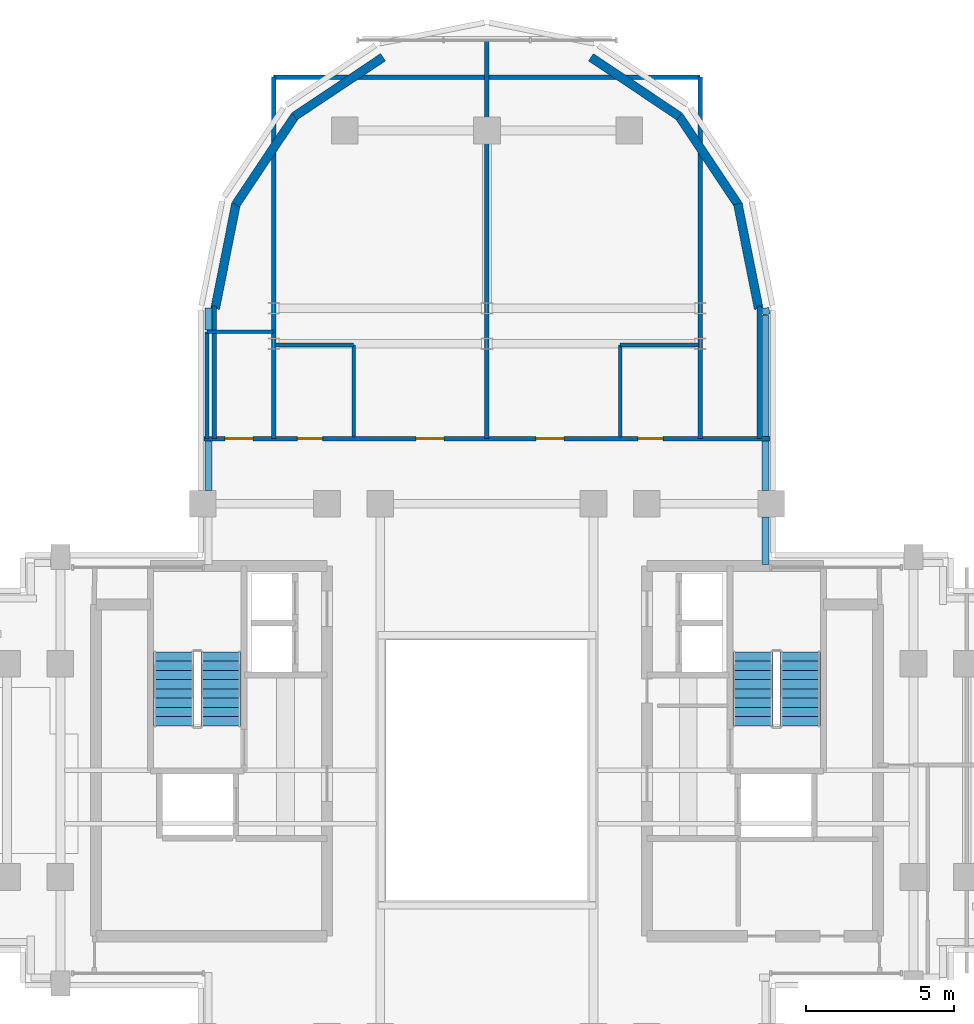
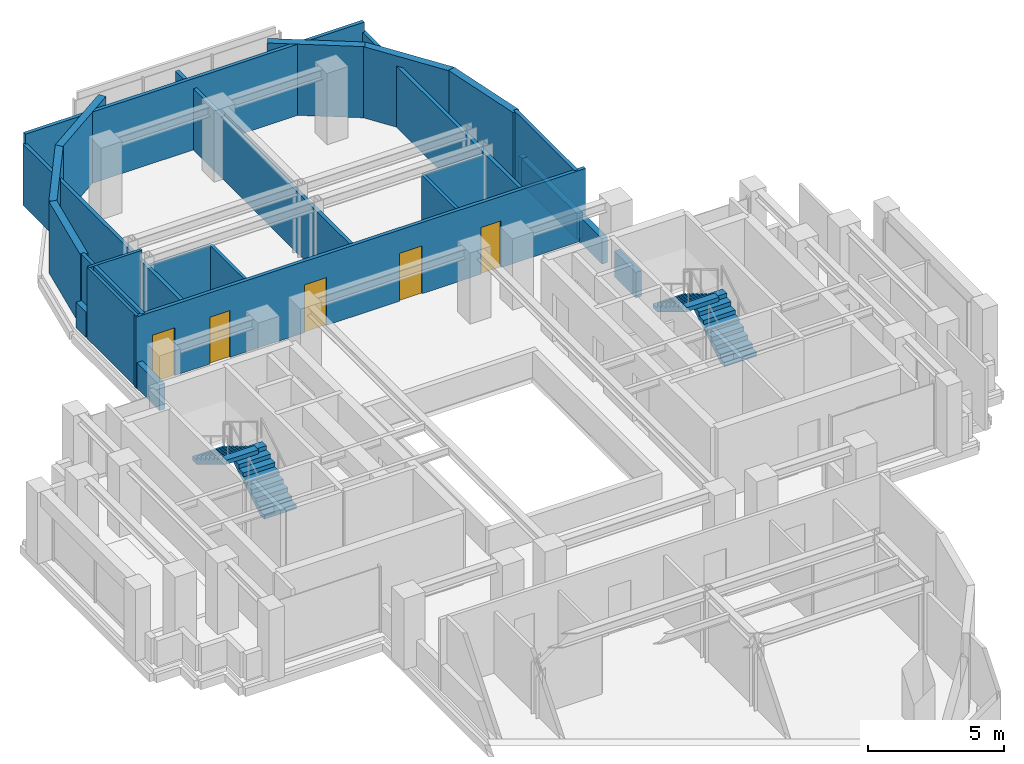
# One storey, part 8 of 11: 25 walls, 5 doors, 4 stair flights, 5 openings, 2 elements without a shape of their own.
"""IFC4 building model written with IfcOpenShell, lengths in metres."""

from ifc_helpers import new_model, si_unit, direction, frame, frame_2d, origin, place, context, subcontext, project, spatial, polyline, rectangle, outline, extrude, source, transform, mapped, material, layer, layer_set, type_object, element, fill, aggregate, save


model = new_model("IFC4")

# Units and contexts
model_context = context("Model", 3, precision=1e-05, world=origin(), true_north=direction((0.0, 1.0)))
body_context = subcontext(model_context, "Body", "Model", "MODEL_VIEW")
ifc_project = project(units=[si_unit("LENGTHUNIT", "METRE"), si_unit("AREAUNIT", "SQUARE_METRE"), si_unit("VOLUMEUNIT", "CUBIC_METRE"), si_unit("PLANEANGLEUNIT", "RADIAN"), si_unit("MASSUNIT", "GRAM", prefix="KILO")], contexts=[model_context])

# Site, building, storey
site_placement = place(None, origin())
site = spatial("IfcSite", under=ifc_project, at=site_placement, CompositionType="ELEMENT")
building_placement = place(site_placement, origin())
building = spatial("IfcBuilding", under=site, at=building_placement, Name="Keilestroom Media Tower", CompositionType="ELEMENT")
storey_placement = place(building_placement, frame((0.0, 0.0, 194.39990234375)))
storey = spatial("IfcBuildingStorey", under=building, at=storey_placement, Name="L53", CompositionType="ELEMENT", Elevation=194.39990234375)

# Walls
ifc_material_1 = material(Name="Precast concrete C40/50", Category="concrete")
ifc_layer_1 = layer(ifc_material_1, 0.300048828125)
ifc_layer_set_1 = layer_set([ifc_layer_1], Name="Precast concrete C40/50")
wall_type_1 = type_object("IfcWallType", Name="Exterior-Masonry-Spandrel-Wall-300", PredefinedType="SOLIDWALL", material=ifc_layer_set_1)
for number, where, z_axis, x_axis, name in (
    (1, (9.1748046875, 15.585205078125, 0.0), (0.0, 0.0, 1.0), (-0.195114232679, 0.980780523974, 0.0), "L53 Lobe Facet Precast Frame Wall 01"),
    (2, (8.48193359375, 19.097412109375, 0.0), (0.0, 0.0, 1.0), (-0.555574187116, 0.831466970246, 0.0), "L53 Lobe Facet Precast Frame Wall 02"),
):
    element("IfcWall", number, at=place(storey_placement, frame(where, z_axis=z_axis, x_axis=x_axis)), inside=storey, type_object=wall_type_1, Name=name, PredefinedType="SOLIDWALL", context=body_context, shape_type="SweptSolid", body=[
        extrude(rectangle(XDim=3.608642578125, YDim=0.300048828125, at=frame_2d((1.80419921875, 0.0))), origin(), (0.0, 0.0, 1.0), 3.2001953125),
    ])
for number, where, z_axis, x_axis, name in (
    (3, (6.497802734375, 22.0771484375, 0.0), (0.0, 0.0, 1.0), (-0.8314749531, 0.555562239868, 0.0), "L53 Lobe Facet Precast Frame Wall 03"),
    (4, (-3.510009765625, 24.073486328125, 0.0), (0.0, 0.0, 1.0), (-0.8314749531, -0.555562239868, 0.0), "L53 Lobe Facet Precast Frame Wall 04"),
):
    element("IfcWall", number, at=place(storey_placement, frame(where, z_axis=z_axis, x_axis=x_axis)), inside=storey, type_object=wall_type_1, Name=name, PredefinedType="SOLIDWALL", context=body_context, shape_type="SweptSolid", body=[
        extrude(rectangle(XDim=3.59326171875, YDim=0.300048828125, at=frame_2d((1.796630859375, 0.0))), origin(), (0.0, 0.0, 1.0), 3.2001953125),
    ])
for number, where, z_axis, x_axis, name in (
    (5, (-6.47705078125, 22.097900390625, 0.0), (0.0, 0.0, 1.0), (-0.555574187116, -0.831466970246, 0.0), "L53 Lobe Facet Precast Frame Wall 05"),
    (6, (-8.470703125, 19.12451171875, 0.0), (0.0, 0.0, 1.0), (-0.195114232679, -0.980780523974, 0.0), "L53 Lobe Facet Precast Frame Wall 06"),
):
    element("IfcWall", number, at=place(storey_placement, frame(where, z_axis=z_axis, x_axis=x_axis)), inside=storey, type_object=wall_type_1, Name=name, PredefinedType="SOLIDWALL", context=body_context, shape_type="SweptSolid", body=[
        extrude(rectangle(XDim=3.608642578125, YDim=0.300048828125, at=frame_2d((1.80419921875, 0.0))), origin(), (0.0, 0.0, 1.0), 3.2001953125),
    ])
ifc_material_2 = material(Name="Gypsum Plasterboard & Steel Stud", Category="steel")
ifc_layer_2 = layer(ifc_material_2, 0.1201171875)
ifc_layer_set_2 = layer_set([ifc_layer_2], Name="Gypsum Plasterboard & Steel Stud")
wall_type_2 = type_object("IfcWallType", Name="Interior-Partition-Wall-120", PredefinedType="PARTITIONING", material=ifc_layer_set_2)
wall_1_placement = place(storey_placement, frame((-9.449951171875, 14.800048828125, 0.0), z_axis=(0.0, 0.0, 1.0), x_axis=(1.0, 0.0, 0.0)))
element("IfcWall", 7, at=wall_1_placement, inside=storey, type_object=wall_type_2, Name="L53 Interior Wall WP-L53-H307-WC-N", PredefinedType="PARTITIONING", context=body_context, shape_type="SweptSolid", body=[
    extrude(rectangle(XDim=2.25, YDim=0.1201171875, at=frame_2d((1.125, 0.0))), origin(), (0.0, 0.0, 1.0), 3.2001953125),
])
wall_2_placement = place(storey_placement, frame((-9.449951171875, 11.199951171875, 0.0), z_axis=(0.0, 0.0, 1.0), x_axis=(0.0, 1.0, 0.0)))
element("IfcWall", 8, at=wall_2_placement, inside=storey, type_object=wall_type_2, Name="L53 Interior Wall WP-L53-H307-WC-W", PredefinedType="PARTITIONING", context=body_context, shape_type="SweptSolid", body=[
    extrude(rectangle(XDim=3.60009765625, YDim=0.1201171875, at=frame_2d((1.800048828125, 0.0))), origin(), (0.0, 0.0, 1.0), 3.2001953125),
])
wall_3_placement = place(storey_placement, frame((-4.5, 11.260009765625, 0.0), z_axis=(0.0, 0.0, 1.0), x_axis=(0.0, 1.0, 0.0)))
element("IfcWall", 9, at=wall_3_placement, inside=storey, type_object=wall_type_2, Name="L53 Interior Wall WP-L53-ENS307W-NWP", PredefinedType="PARTITIONING", context=body_context, shape_type="SweptSolid", body=[
    extrude(rectangle(XDim=3.10009765625, YDim=0.1201171875, at=frame_2d((1.550048828125, 0.0))), origin(), (0.0, 0.0, 1.0), 2.75),
])
wall_4_placement = place(storey_placement, frame((-7.139892578125, 14.360107421875, 0.0), z_axis=(0.0, 0.0, 1.0), x_axis=(1.0, 0.0, 0.0)))
element("IfcWall", 10, at=wall_4_placement, inside=storey, type_object=wall_type_2, Name="L53 Interior Wall WP-L53-ENS307H-NWP", PredefinedType="PARTITIONING", context=body_context, shape_type="SweptSolid", body=[
    extrude(rectangle(XDim=2.639892578125, YDim=0.1201171875, at=frame_2d((1.31982421875, 0.0))), origin(), (0.0, 0.0, 1.0), 2.75),
])
wall_5_placement = place(storey_placement, frame((4.5, 11.260009765625, 0.0), z_axis=(0.0, 0.0, 1.0), x_axis=(0.0, 1.0, 0.0)))
element("IfcWall", 11, at=wall_5_placement, inside=storey, type_object=wall_type_2, Name="L53 Interior Wall WP-L53-ENS307W-NEP", PredefinedType="PARTITIONING", context=body_context, shape_type="SweptSolid", body=[
    extrude(rectangle(XDim=3.10009765625, YDim=0.1201171875, at=frame_2d((1.550048828125, 0.0))), origin(), (0.0, 0.0, 1.0), 2.75),
])
wall_6_placement = place(storey_placement, frame((4.5, 14.360107421875, 0.0), z_axis=(0.0, 0.0, 1.0), x_axis=(1.0, 0.0, 0.0)))
element("IfcWall", 12, at=wall_6_placement, inside=storey, type_object=wall_type_2, Name="L53 Interior Wall WP-L53-ENS307H-NEP", PredefinedType="PARTITIONING", context=body_context, shape_type="SweptSolid", body=[
    extrude(rectangle(XDim=2.639892578125, YDim=0.1201171875, at=frame_2d((1.31982421875, 0.0))), origin(), (0.0, 0.0, 1.0), 2.75),
])

# Wall, openings, doors
ifc_layer_3 = layer(ifc_material_2, 0.14990234375)
ifc_layer_set_3 = layer_set([ifc_layer_3], Name="Gypsum Plasterboard & Steel Stud")
wall_type_3 = type_object("IfcWallType", Name="Interior-Partition-Wall-150", PredefinedType="PARTITIONING", material=ifc_layer_set_3)
wall_7_placement = place(storey_placement, frame((-9.550048828125, 11.199951171875, 0.0), z_axis=(0.0, 0.0, 1.0), x_axis=(1.0, 0.0, 0.0)))
wall_7 = element("IfcWall", 13, at=wall_7_placement, inside=storey, type_object=wall_type_3, Name="L53 Interior Wall WP-L53-H307-N-BASE", PredefinedType="PARTITIONING", context=body_context, shape_type="SweptSolid", body=[
    extrude(rectangle(XDim=19.10009765625, YDim=0.14990234375, at=frame_2d((9.550048828125, 0.0))), origin(), (0.0, 0.0, 1.0), 3.2001953125),
])
opening_1_placement = place(wall_7_placement, frame((0.699951171875, 0.0, 0.0)))
opening_1 = element("IfcOpeningElement", 14, at=opening_1_placement, cuts=wall_7, Name="Opening DI-03", PredefinedType="OPENING", context=body_context, shape_type="SweptSolid", body=[
    extrude(rectangle(XDim=0.949951171875, YDim=2.14990234375, at=frame_2d((0.47509765625, 1.074951171875))), frame((0.0, 0.0849609375, 0.0), z_axis=(0.0, -1.0, 0.0), x_axis=(1.0, 0.0, 0.0)), (0.0, 0.0, 1.0), 0.169921875),
])
opening_2_placement = place(wall_7_placement, frame((3.14990234375, 0.0, 0.0)))
opening_2 = element("IfcOpeningElement", 15, at=opening_2_placement, cuts=wall_7, Name="Opening DI-05", PredefinedType="OPENING", context=body_context, shape_type="SweptSolid", body=[
    extrude(rectangle(XDim=0.85009765625, YDim=2.10009765625, at=frame_2d((0.425048828125, 1.050048828125))), frame((0.0, 0.0849609375, 0.0), z_axis=(0.0, -1.0, 0.0), x_axis=(1.0, 0.0, 0.0)), (0.0, 0.0, 1.0), 0.169921875),
])
opening_3_placement = place(wall_7_placement, frame((7.14990234375, 0.0, 0.0)))
opening_3 = element("IfcOpeningElement", 16, at=opening_3_placement, cuts=wall_7, Name="Opening DI-03", PredefinedType="OPENING", context=body_context, shape_type="SweptSolid", body=[
    extrude(rectangle(XDim=0.949951171875, YDim=2.14990234375, at=frame_2d((0.47509765625, 1.074951171875))), frame((0.0, 0.0849609375, 0.0), z_axis=(0.0, -1.0, 0.0), x_axis=(1.0, 0.0, 0.0)), (0.0, 0.0, 1.0), 0.169921875),
])
opening_4_placement = place(wall_7_placement, frame((14.64990234375, 0.0, 0.0)))
opening_4 = element("IfcOpeningElement", 17, at=opening_4_placement, cuts=wall_7, Name="Opening DI-05", PredefinedType="OPENING", context=body_context, shape_type="SweptSolid", body=[
    extrude(rectangle(XDim=0.85009765625, YDim=2.10009765625, at=frame_2d((0.425048828125, 1.050048828125))), frame((0.0, 0.0849609375, 0.0), z_axis=(0.0, -1.0, 0.0), x_axis=(1.0, 0.0, 0.0)), (0.0, 0.0, 1.0), 0.169921875),
])
opening_5_placement = place(wall_7_placement, frame((11.199951171875, 0.0, 0.0)))
opening_5 = element("IfcOpeningElement", 18, at=opening_5_placement, cuts=wall_7, Name="Opening DI-03", PredefinedType="OPENING", context=body_context, shape_type="SweptSolid", body=[
    extrude(rectangle(XDim=0.949951171875, YDim=2.14990234375, at=frame_2d((0.47509765625, 1.074951171875))), frame((0.0, 0.0849609375, 0.0), z_axis=(0.0, -1.0, 0.0), x_axis=(1.0, 0.0, 0.0)), (0.0, 0.0, 1.0), 0.169921875),
])
ifc_material_3 = material(Name="Lacquered European Oak Leaf", Category="wood")
door_type_1 = type_object("IfcDoorType", Name="Interior-Room-And-Suite-Door-DI-03", OperationType="NOTDEFINED", PredefinedType="DOOR", material=ifc_material_3)
shared_shape_1 = source(origin(), body_context, "Body", "SweptSolid", [
    extrude(rectangle(XDim=0.949951171875, YDim=2.14990234375, at=frame_2d((0.47509765625, 1.074951171875))), frame((0.0, 0.02490234375, 0.0), z_axis=(0.0, -1.0, 0.0), x_axis=(1.0, 0.0, 0.0)), (0.0, 0.0, 1.0), 0.050048828125),
])
door_1_placement = place(opening_1_placement, origin())
door_1 = element("IfcDoor", 19, at=door_1_placement, inside=storey, type_object=door_type_1, Name="L53 Interior Door DI-L53-DH307-WC", OperationType="SINGLE_SWING_RIGHT", OverallHeight=2.14990234375, OverallWidth=0.949951171875, PredefinedType="DOOR", context=body_context, shape_type="MappedRepresentation", body=[
    mapped(shared_shape_1, transform((0.0, 0.0, 0.0), x_axis=(1.0, 0.0, 0.0), y_axis=(0.0, 1.0, 0.0), z_axis=(0.0, 0.0, 1.0), scale=1.0)),
])
fill(opening_1, door_1)
door_2_placement = place(opening_3_placement, origin())
door_2 = element("IfcDoor", 20, at=door_2_placement, inside=storey, type_object=door_type_1, Name="L53 Interior Door DI-L53-DHTL307-NWP", OperationType="SINGLE_SWING_RIGHT", OverallHeight=2.14990234375, OverallWidth=0.949951171875, PredefinedType="DOOR", context=body_context, shape_type="MappedRepresentation", body=[
    mapped(shared_shape_1, transform((0.0, 0.0, 0.0), x_axis=(1.0, 0.0, 0.0), y_axis=(0.0, 1.0, 0.0), z_axis=(0.0, 0.0, 1.0), scale=1.0)),
])
fill(opening_3, door_2)
door_3_placement = place(opening_5_placement, origin())
door_3 = element("IfcDoor", 21, at=door_3_placement, inside=storey, type_object=door_type_1, Name="L53 Interior Door DI-L53-DHTL307-NEP", OperationType="SINGLE_SWING_RIGHT", OverallHeight=2.14990234375, OverallWidth=0.949951171875, PredefinedType="DOOR", context=body_context, shape_type="MappedRepresentation", body=[
    mapped(shared_shape_1, transform((0.0, 0.0, 0.0), x_axis=(1.0, 0.0, 0.0), y_axis=(0.0, 1.0, 0.0), z_axis=(0.0, 0.0, 1.0), scale=1.0)),
])
fill(opening_5, door_3)
ifc_material_4 = material(Name="Moisture-Resistant Oak Leaf", Category="wood")
door_type_2 = type_object("IfcDoorType", Name="Interior-En-Suite-And-Cupboard-Door-DI-05", OperationType="NOTDEFINED", PredefinedType="DOOR", material=ifc_material_4)
shared_shape_2 = source(origin(), body_context, "Body", "SweptSolid", [
    extrude(rectangle(XDim=0.85009765625, YDim=2.10009765625, at=frame_2d((0.425048828125, 1.050048828125))), frame((0.0, 0.02490234375, 0.0), z_axis=(0.0, -1.0, 0.0), x_axis=(1.0, 0.0, 0.0)), (0.0, 0.0, 1.0), 0.050048828125),
])
door_4_placement = place(opening_2_placement, origin())
door_4 = element("IfcDoor", 22, at=door_4_placement, inside=storey, type_object=door_type_2, Name="L53 Interior Door DI-L53-DENS307-NWP", OperationType="SINGLE_SWING_LEFT", OverallHeight=2.10009765625, OverallWidth=0.85009765625, PredefinedType="DOOR", context=body_context, shape_type="MappedRepresentation", body=[
    mapped(shared_shape_2, transform((0.0, 0.0, 0.0), x_axis=(1.0, 0.0, 0.0), y_axis=(0.0, 1.0, 0.0), z_axis=(0.0, 0.0, 1.0), scale=1.0)),
])
fill(opening_2, door_4)
door_5_placement = place(opening_4_placement, origin())
door_5 = element("IfcDoor", 23, at=door_5_placement, inside=storey, type_object=door_type_2, Name="L53 Interior Door DI-L53-DENS307-NEP", OperationType="SINGLE_SWING_LEFT", OverallHeight=2.10009765625, OverallWidth=0.85009765625, PredefinedType="DOOR", context=body_context, shape_type="MappedRepresentation", body=[
    mapped(shared_shape_2, transform((0.0, 0.0, 0.0), x_axis=(1.0, 0.0, 0.0), y_axis=(0.0, 1.0, 0.0), z_axis=(0.0, 0.0, 1.0), scale=1.0)),
])
fill(opening_4, door_5)

# Walls
for number, where, z_axis, x_axis, name in (
    (24, (-9.199951171875, 11.199951171875, 0.0), (0.0, 0.0, 1.0), (0.0, 1.0, 0.0), "L53 Interior Wall WP-L53-NL-CHKW"),
    (25, (9.199951171875, 11.199951171875, 0.0), (0.0, 0.0, 1.0), (0.0, 1.0, 0.0), "L53 Interior Wall WP-L53-NL-CHKE"),
):
    element("IfcWall", number, at=place(storey_placement, frame(where, z_axis=z_axis, x_axis=x_axis)), inside=storey, type_object=wall_type_3, Name=name, PredefinedType="PARTITIONING", context=body_context, shape_type="SweptSolid", body=[
        extrude(rectangle(XDim=4.47998046875, YDim=0.14990234375, at=frame_2d((2.239990234375, 0.0))), origin(), (0.0, 0.0, 1.0), 3.2001953125),
    ])
wall_8_placement = place(storey_placement, frame((-7.199951171875, 11.199951171875, 0.0), z_axis=(0.0, 0.0, 1.0), x_axis=(0.0, 1.0, 0.0)))
element("IfcWall", 26, at=wall_8_placement, inside=storey, type_object=wall_type_3, Name="L53 Interior Wall WP-L53-H307-NV--72", PredefinedType="PARTITIONING", context=body_context, shape_type="SweptSolid", body=[
    extrude(rectangle(XDim=12.199951171875, YDim=0.14990234375, at=frame_2d((6.10009765625, 0.0))), origin(), (0.0, 0.0, 1.0), 2.75),
])
wall_9_placement = place(storey_placement, frame((0.0, 11.199951171875, 0.0), z_axis=(0.0, 0.0, 1.0), x_axis=(0.0, 1.0, 0.0)))
element("IfcWall", 27, at=wall_9_placement, inside=storey, type_object=wall_type_3, Name="L53 Interior Wall WP-L53-H307-NV-0", PredefinedType="PARTITIONING", context=body_context, shape_type="SweptSolid", body=[
    extrude(rectangle(XDim=13.449951171875, YDim=0.14990234375, at=frame_2d((6.72509765625, 0.0))), origin(), (0.0, 0.0, 1.0), 2.75),
])
wall_10_placement = place(storey_placement, frame((7.199951171875, 11.199951171875, 0.0), z_axis=(0.0, 0.0, 1.0), x_axis=(0.0, 1.0, 0.0)))
element("IfcWall", 28, at=wall_10_placement, inside=storey, type_object=wall_type_3, Name="L53 Interior Wall WP-L53-H307-NV-72", PredefinedType="PARTITIONING", context=body_context, shape_type="SweptSolid", body=[
    extrude(rectangle(XDim=12.199951171875, YDim=0.14990234375, at=frame_2d((6.10009765625, 0.0))), origin(), (0.0, 0.0, 1.0), 2.75),
])
wall_11_placement = place(storey_placement, frame((-7.199951171875, 23.39990234375, 0.0), z_axis=(0.0, 0.0, 1.0), x_axis=(1.0, 0.0, 0.0)))
element("IfcWall", 29, at=wall_11_placement, inside=storey, type_object=wall_type_3, Name="L53 Interior Wall WP-L53-H307-NTIP", PredefinedType="PARTITIONING", context=body_context, shape_type="SweptSolid", body=[
    extrude(rectangle(XDim=14.39990234375, YDim=0.14990234375, at=frame_2d((7.199951171875, 0.0))), origin(), (0.0, 0.0, 1.0), 3.2001953125),
])
ifc_layer_4 = layer(ifc_material_1, 0.239990234375)
ifc_layer_set_4 = layer_set([ifc_layer_4], Name="Precast concrete C40/50")
wall_type_4 = type_object("IfcWallType", Name="Roof-And-Terrace-Parapet-Wall-240", PredefinedType="PARAPET", material=ifc_layer_set_4)
wall_12_placement = place(storey_placement, frame((-9.39990234375, 9.452880859375, 0.0), z_axis=(0.0, 0.0, 1.0), x_axis=(0.0, 1.0, 0.0)))
element("IfcWall", 30, at=wall_12_placement, inside=storey, type_object=wall_type_4, Name="L53 Perimeter Edge Parapet Wall 28", PredefinedType="PARAPET", context=body_context, shape_type="SweptSolid", body=[
    extrude(rectangle(XDim=1.669189453125, YDim=0.239990234375, at=frame_2d((0.83447265625, 0.0))), origin(), (0.0, 0.0, 1.0), 1.150146484375),
])
wall_13_placement = place(storey_placement, frame((-9.39990234375, 14.863037109375, 0.0), z_axis=(0.0, 0.0, 1.0), x_axis=(0.0, 1.0, 0.0)))
element("IfcWall", 31, at=wall_13_placement, inside=storey, type_object=wall_type_4, Name="L53 Perimeter Edge Parapet Wall 29", PredefinedType="PARAPET", context=body_context, shape_type="SweptSolid", body=[
    extrude(rectangle(XDim=0.73974609375, YDim=0.239990234375, at=frame_2d((0.369873046875, 0.0))), origin(), (0.0, 0.0, 1.0), 1.150146484375),
])
wall_14_placement = place(storey_placement, frame((9.395263671875, 15.604248046875, 0.0), z_axis=(0.0, 0.0, 1.0), x_axis=(0.194652052864, -0.980872355771, 0.0)))
element("IfcWall", 32, at=wall_14_placement, inside=storey, type_object=wall_type_4, Name="L53 Perimeter Edge Parapet Wall 30", PredefinedType="PARAPET", context=body_context, shape_type="SweptSolid", body=[
    extrude(rectangle(XDim=0.224609375, YDim=0.239990234375, at=frame_2d((0.1123046875, 0.0))), origin(), (0.0, 0.0, 1.0), 1.150146484375),
])
wall_15_placement = place(storey_placement, frame((9.39990234375, 15.357666015625, 0.0), z_axis=(0.0, 0.0, 1.0), x_axis=(0.0, -1.0, 0.0)))
element("IfcWall", 33, at=wall_15_placement, inside=storey, type_object=wall_type_4, Name="L53 Perimeter Edge Parapet Wall 31", PredefinedType="PARAPET", context=body_context, shape_type="SweptSolid", body=[
    extrude(rectangle(XDim=4.07958984375, YDim=0.239990234375, at=frame_2d((2.039794921875, 0.0))), origin(), (0.0, 0.0, 1.0), 1.150146484375),
])
wall_16_placement = place(storey_placement, frame((9.39990234375, 11.1220703125, 0.0), z_axis=(0.0, 0.0, 1.0), x_axis=(0.0, -1.0, 0.0)))
element("IfcWall", 34, at=wall_16_placement, inside=storey, type_object=wall_type_4, Name="L53 Perimeter Edge Parapet Wall 32", PredefinedType="PARAPET", context=body_context, shape_type="SweptSolid", body=[
    extrude(rectangle(XDim=1.669189453125, YDim=0.239990234375, at=frame_2d((0.83447265625, 0.0))), origin(), (0.0, 0.0, 1.0), 1.150146484375),
])
wall_17_placement = place(storey_placement, frame((9.39990234375, 8.547119140625, 0.0), z_axis=(0.0, 0.0, 1.0), x_axis=(0.0, -1.0, 0.0)))
element("IfcWall", 35, at=wall_17_placement, inside=storey, type_object=wall_type_4, Name="L53 Perimeter Edge Parapet Wall 33", PredefinedType="PARAPET", context=body_context, shape_type="SweptSolid", body=[
    extrude(rectangle(XDim=1.59423828125, YDim=0.239990234375, at=frame_2d((0.797119140625, 0.0))), origin(), (0.0, 0.0, 1.0), 1.150146484375),
])

# Stair, stair flights
ifc_material_5 = material(Name="Concrete C45/55", Category="concrete")
stair_type = type_object("IfcStairType", Name="Enclosed-Dog-Leg-Stair-ST-CORE", PredefinedType="HALF_TURN_STAIR", material=ifc_material_5)
stair_1_placement = place(storey_placement, origin())
stair_1 = element("IfcStair", 36, at=stair_1_placement, inside=storey, type_object=stair_type, Name="L53 West Core Escape Stair ST-1", PredefinedType="HALF_TURN_STAIR")
stair_flight_type = type_object("IfcStairFlightType", Name="Precast-Concrete-Stair-Flight-Core-160", PredefinedType="STRAIGHT", material=ifc_material_1)
stair_flight_1_placement = place(storey_placement, frame((-8.97998046875, 1.5, 0.0), z_axis=(0.0, 0.0, 1.0), x_axis=(0.0, 1.0, 0.0)))
stair_flight_1 = element("IfcStairFlight", 37, at=stair_flight_1_placement, type_object=stair_flight_type, Name="ST-1 flight 1", NumberOfRisers=9, NumberOfTreads=8, PredefinedType="STRAIGHT", RiserHeight=0.188888889, TreadLength=0.312, context=body_context, shape_type="SweptSolid", body=[
    extrude(outline(polyline([(0.0, 0.0), (0.0, 0.18896484375), (0.31201171875, 0.18896484375), (0.31201171875, 0.377685546875), (0.6240234375, 0.377685546875), (0.6240234375, 0.566650390625), (0.93603515625, 0.566650390625), (0.93603515625, 0.755615234375), (1.248046875, 0.755615234375), (1.248046875, 0.9443359375), (1.56005859375, 0.9443359375), (1.56005859375, 1.13330078125), (1.8720703125, 1.13330078125), (1.8720703125, 1.322265625), (2.18408203125, 1.322265625), (2.18408203125, 1.51123046875), (2.49609375, 1.51123046875), (2.49609375, 1.699951171875), (2.49609375, 1.32421875), (0.308837890625, 0.0), (0.0, 0.0)])), frame((0.0, 0.68017578125, 0.0), z_axis=(0.0, -1.0, 0.0), x_axis=(1.0, 0.0, 0.0)), (0.0, 0.0, 1.0), 1.360107421875),
])
stair_flight_2_placement = place(storey_placement, frame((-10.580078125, 3.99609375, 1.7001953125), z_axis=(0.0, 0.0, 1.0), x_axis=(0.0, -1.0, 0.0)))
stair_flight_2 = element("IfcStairFlight", 38, at=stair_flight_2_placement, type_object=stair_flight_type, Name="ST-1 flight 2", NumberOfRisers=9, NumberOfTreads=8, PredefinedType="STRAIGHT", RiserHeight=0.188888889, TreadLength=0.312, context=body_context, shape_type="SweptSolid", body=[
    extrude(outline(polyline([(0.0, 0.0), (0.0, 0.18896484375), (0.31201171875, 0.18896484375), (0.31201171875, 0.377685546875), (0.6240234375, 0.377685546875), (0.6240234375, 0.566650390625), (0.93603515625, 0.566650390625), (0.93603515625, 0.755615234375), (1.248046875, 0.755615234375), (1.248046875, 0.9443359375), (1.56005859375, 0.9443359375), (1.56005859375, 1.13330078125), (1.8720703125, 1.13330078125), (1.8720703125, 1.322265625), (2.18408203125, 1.322265625), (2.18408203125, 1.51123046875), (2.49609375, 1.51123046875), (2.49609375, 1.699951171875), (2.49609375, 1.32421875), (0.308837890625, 0.0), (0.0, 0.0)])), frame((0.0, 0.68017578125, 0.0), z_axis=(0.0, -1.0, 0.0), x_axis=(1.0, 0.0, 0.0)), (0.0, 0.0, 1.0), 1.360107421875),
])
aggregate(stair_1, [stair_flight_1, stair_flight_2])

stair_2_placement = place(storey_placement, origin())
stair_2 = element("IfcStair", 39, at=stair_2_placement, inside=storey, type_object=stair_type, Name="L53 East Core Escape Stair ST-2", PredefinedType="HALF_TURN_STAIR")
stair_flight_3_placement = place(storey_placement, frame((10.580078125, 1.5, 0.0), z_axis=(0.0, 0.0, 1.0), x_axis=(0.0, 1.0, 0.0)))
stair_flight_3 = element("IfcStairFlight", 40, at=stair_flight_3_placement, type_object=stair_flight_type, Name="ST-2 flight 1", NumberOfRisers=9, NumberOfTreads=8, PredefinedType="STRAIGHT", RiserHeight=0.188888889, TreadLength=0.312, context=body_context, shape_type="SweptSolid", body=[
    extrude(outline(polyline([(0.0, 0.0), (0.0, 0.18896484375), (0.31201171875, 0.18896484375), (0.31201171875, 0.377685546875), (0.6240234375, 0.377685546875), (0.6240234375, 0.566650390625), (0.93603515625, 0.566650390625), (0.93603515625, 0.755615234375), (1.248046875, 0.755615234375), (1.248046875, 0.9443359375), (1.56005859375, 0.9443359375), (1.56005859375, 1.13330078125), (1.8720703125, 1.13330078125), (1.8720703125, 1.322265625), (2.18408203125, 1.322265625), (2.18408203125, 1.51123046875), (2.49609375, 1.51123046875), (2.49609375, 1.699951171875), (2.49609375, 1.32421875), (0.308837890625, 0.0), (0.0, 0.0)])), frame((0.0, 0.68017578125, 0.0), z_axis=(0.0, -1.0, 0.0), x_axis=(1.0, 0.0, 0.0)), (0.0, 0.0, 1.0), 1.360107421875),
])
stair_flight_4_placement = place(storey_placement, frame((8.97998046875, 3.99609375, 1.7001953125), z_axis=(0.0, 0.0, 1.0), x_axis=(0.0, -1.0, 0.0)))
stair_flight_4 = element("IfcStairFlight", 41, at=stair_flight_4_placement, type_object=stair_flight_type, Name="ST-2 flight 2", NumberOfRisers=9, NumberOfTreads=8, PredefinedType="STRAIGHT", RiserHeight=0.188888889, TreadLength=0.312, context=body_context, shape_type="SweptSolid", body=[
    extrude(outline(polyline([(0.0, 0.0), (0.0, 0.18896484375), (0.31201171875, 0.18896484375), (0.31201171875, 0.377685546875), (0.6240234375, 0.377685546875), (0.6240234375, 0.566650390625), (0.93603515625, 0.566650390625), (0.93603515625, 0.755615234375), (1.248046875, 0.755615234375), (1.248046875, 0.9443359375), (1.56005859375, 0.9443359375), (1.56005859375, 1.13330078125), (1.8720703125, 1.13330078125), (1.8720703125, 1.322265625), (2.18408203125, 1.322265625), (2.18408203125, 1.51123046875), (2.49609375, 1.51123046875), (2.49609375, 1.699951171875), (2.49609375, 1.32421875), (0.308837890625, 0.0), (0.0, 0.0)])), frame((0.0, 0.68017578125, 0.0), z_axis=(0.0, -1.0, 0.0), x_axis=(1.0, 0.0, 0.0)), (0.0, 0.0, 1.0), 1.360107421875),
])
aggregate(stair_2, [stair_flight_3, stair_flight_4])

save(model, "model.ifc")
